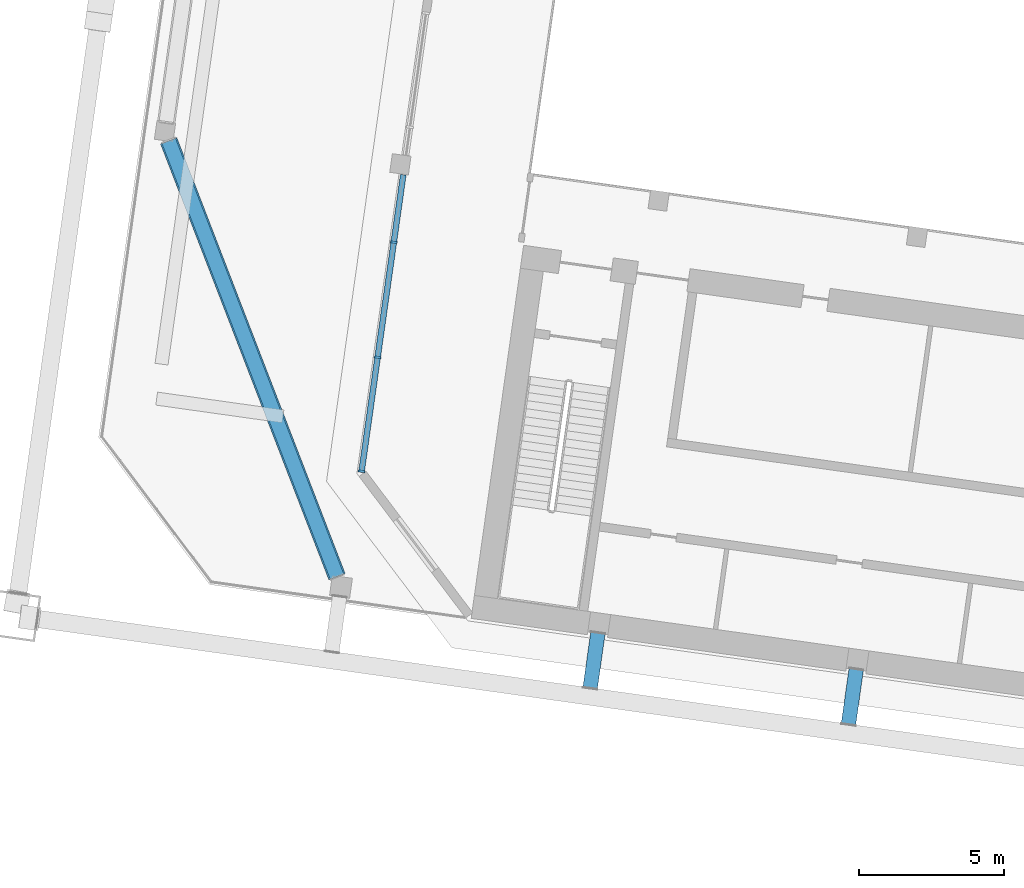
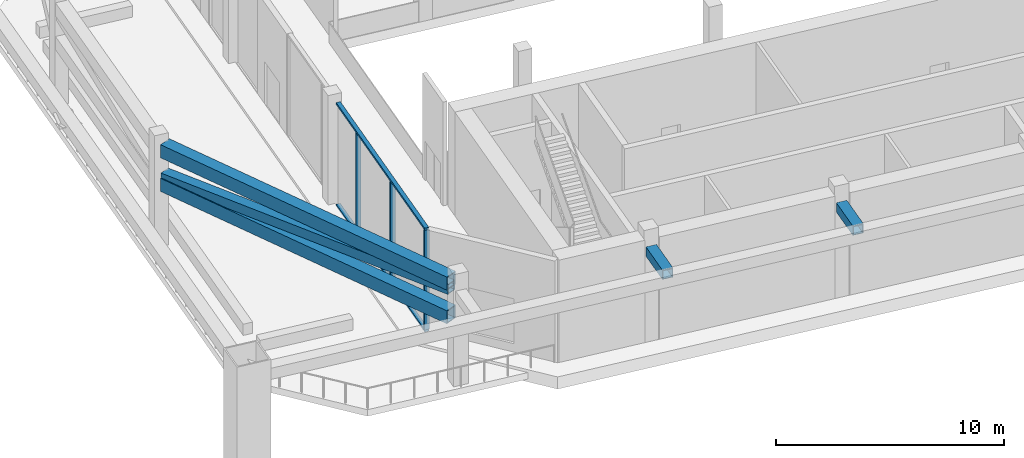
# One storey, part 2 of 41: 10 members, 1 element without a shape of its own.
"""IFC4 building model written with IfcOpenShell, lengths in metres."""

from ifc_helpers import new_model, si_unit, direction, frame, origin, origin_2d, place, context, subcontext, project, spatial, rectangle, hollow_rectangle, extrude, material, material_profile, profile_set, type_object, element, aggregate, save


model = new_model("IFC4")

# Units and contexts
model_context = context("Model", 3, precision=1e-05, world=origin(), true_north=direction((0.0, 1.0)))
body_context = subcontext(model_context, "Body", "Model", "MODEL_VIEW")
ifc_project = project(units=[si_unit("LENGTHUNIT", "METRE"), si_unit("AREAUNIT", "SQUARE_METRE"), si_unit("VOLUMEUNIT", "CUBIC_METRE"), si_unit("PLANEANGLEUNIT", "RADIAN"), si_unit("MASSUNIT", "GRAM", prefix="KILO")], contexts=[model_context])

# Site, building, storey
site_placement = place(None, origin())
site = spatial("IfcSite", under=ifc_project, at=site_placement, CompositionType="ELEMENT")
building_placement = place(site_placement, origin())
building = spatial("IfcBuilding", under=site, at=building_placement, Name="Mirante Cascada Hotel Towers", CompositionType="ELEMENT")
storey_placement = place(building_placement, frame((0.0, 0.0, 92.7)))
storey = spatial("IfcBuildingStorey", under=building, at=storey_placement, Name="L20", CompositionType="ELEMENT", Elevation=92.7)

# Members
ifc_material_1 = material(Name="Steel ASTM A572 Gr 50", Category="steel")
ifc_material_profile_1 = material_profile(ifc_material_1, hollow_rectangle(XDim=0.6, YDim=0.7, WallThickness=0.05, at=origin_2d()), Name="Box chord 700x600x50 ASTM A572 Gr 50")
ifc_profile_set_1 = profile_set([ifc_material_profile_1], Name="Steel ASTM A572 Gr 50")
member_type_1 = type_object("IfcMemberType", Name="Box chord 700x600x50 ASTM A572 Gr 50", PredefinedType="CHORD", material=ifc_profile_set_1)
for number, where, z_axis, x_axis, name in (
    (1, (-100.8987, 3.892, 5.2), (0.3601987, -0.9328756, 0.0), (0.9328756, 0.3601987, 0.0), "belt T1 L20 31"),
    (2, (-100.8987, 3.892, 3.4), (0.3601987, -0.9328756, 0.0), (0.9328756, 0.3601987, 0.0), "belt T1 L20 32"),
):
    element("IfcMember", number, at=place(storey_placement, frame(where, z_axis=z_axis, x_axis=x_axis)), inside=storey, type_object=member_type_1, Name=name, PredefinedType="CHORD", context=body_context, shape_type="SweptSolid", body=[
        extrude(hollow_rectangle(XDim=0.6, YDim=0.7, WallThickness=0.05, at=origin_2d()), origin(), (0.0, 0.0, 1.0), 16.1217),
    ])
ifc_material_2 = material(Name="Steel ASTM A572 Gr 50", Category="steel")
ifc_material_profile_2 = material_profile(ifc_material_2, hollow_rectangle(XDim=0.5, YDim=0.5, WallThickness=0.035, at=origin_2d()), Name="Box diagonal 500x500x35 ASTM A572 Gr 50")
ifc_profile_set_2 = profile_set([ifc_material_profile_2], Name="Steel ASTM A572 Gr 50")
member_type_2 = type_object("IfcMemberType", Name="Box diagonal 500x500x35 ASTM A572 Gr 50", PredefinedType="BRACE", material=ifc_profile_set_2)
member_1_placement = place(storey_placement, frame((-100.8987, 3.892, 3.75), z_axis=(0.3593632, -0.9307117, 0.0680729), x_axis=(0.9328756, 0.3601987, 0.0)))
element("IfcMember", 3, at=member_1_placement, inside=storey, type_object=member_type_2, Name="belt T1 L20 33", PredefinedType="BRACE", context=body_context, shape_type="SweptSolid", body=[
    extrude(hollow_rectangle(XDim=0.5, YDim=0.5, WallThickness=0.035, at=origin_2d()), origin(), (0.0, 0.0, 1.0), 16.1591),
])
ifc_material_3 = material(Name="Steel ASTM A572 Gr 50", Category="steel")
ifc_material_profile_3 = material_profile(ifc_material_3, hollow_rectangle(XDim=0.5, YDim=0.5, WallThickness=0.035, at=origin_2d()), Name="Box tie 500x500x35 ASTM A572 Gr 50")
ifc_profile_set_3 = profile_set([ifc_material_profile_3], Name="Steel ASTM A572 Gr 50")
member_type_3 = type_object("IfcMemberType", Name="Box tie 500x500x35 ASTM A572 Gr 50", PredefinedType="STRUT", material=ifc_profile_set_3)
member_2_placement = place(storey_placement, frame((-77.1757, -14.3344, 4.85), z_axis=(-0.1391695, -0.9902686, 0.0), x_axis=(0.9902686, -0.1391695, 0.0)))
element("IfcMember", 4, at=member_2_placement, inside=storey, type_object=member_type_3, Name="tie T1 L20 10", PredefinedType="STRUT", context=body_context, shape_type="SweptSolid", body=[
    extrude(hollow_rectangle(XDim=0.5, YDim=0.5, WallThickness=0.035, at=origin_2d()), origin(), (0.0, 0.0, 1.0), 1.9401),
])
member_3_placement = place(storey_placement, frame((-86.0881, -13.0819, 4.85), z_axis=(-0.1391766, -0.9902676, 0.0), x_axis=(0.9902676, -0.1391766, 0.0)))
element("IfcMember", 5, at=member_3_placement, inside=storey, type_object=member_type_3, Name="tie T1 L20 12", PredefinedType="STRUT", context=body_context, shape_type="SweptSolid", body=[
    extrude(hollow_rectangle(XDim=0.5, YDim=0.5, WallThickness=0.035, at=origin_2d()), origin(), (0.0, 0.0, 1.0), 1.94),
])

# Curtain wall, members
ifc_material_4 = material(Name="Aluminium mullion and transom frame with clear laminated glass", Category="aluminium")
curtain_wall_type = type_object("IfcCurtainWallType", Name="Sky garden curtain wall ECW4", PredefinedType="NOTDEFINED", material=ifc_material_4)
curtain_wall_placement = place(storey_placement, origin())
curtain_wall = element("IfcCurtainWall", 6, at=curtain_wall_placement, inside=storey, type_object=curtain_wall_type, Name="Sky garden wall T1 L20 run 1", PredefinedType="NOTDEFINED")
ifc_material_5 = material(Name="Anodised aluminium extrusion", Category="aluminium")
ifc_material_profile_4 = material_profile(ifc_material_5, rectangle(XDim=0.24, YDim=0.075, at=origin_2d()), Name="ECW4 MULLION 75x240")
ifc_profile_set_4 = profile_set([ifc_material_profile_4], Name="Anodised aluminium extrusion")
member_type_4 = type_object("IfcMemberType", Name="ECW4 mullion 75x240", PredefinedType="MULLION", material=ifc_profile_set_4)
member_4_placement = place(storey_placement, frame((-94.2425, -7.5132, 0.11), z_axis=(0.0, 0.0, 1.0), x_axis=(-0.9902681, 0.1391731, 0.0)))
member_4 = element("IfcMember", 7, at=member_4_placement, type_object=member_type_4, Name="ECW4 mullion 1", PredefinedType="MULLION", context=body_context, shape_type="SweptSolid", body=[
    extrude(rectangle(XDim=0.24, YDim=0.075, at=origin_2d()), origin(), (0.0, 0.0, 1.0), 5.33),
])
member_5_placement = place(storey_placement, frame((-93.6897, -3.5799, 0.11), z_axis=(0.0, 0.0, 1.0), x_axis=(-0.9902681, 0.1391731, 0.0)))
member_5 = element("IfcMember", 8, at=member_5_placement, type_object=member_type_4, Name="ECW4 mullion 2", PredefinedType="MULLION", context=body_context, shape_type="SweptSolid", body=[
    extrude(rectangle(XDim=0.24, YDim=0.075, at=origin_2d()), origin(), (0.0, 0.0, 1.0), 5.33),
])
member_6_placement = place(storey_placement, frame((-93.1317, 0.3906, 0.11), z_axis=(0.0, 0.0, 1.0), x_axis=(-0.9902681, 0.1391731, 0.0)))
member_6 = element("IfcMember", 9, at=member_6_placement, type_object=member_type_4, Name="ECW4 mullion 3", PredefinedType="MULLION", context=body_context, shape_type="SweptSolid", body=[
    extrude(rectangle(XDim=0.24, YDim=0.075, at=origin_2d()), origin(), (0.0, 0.0, 1.0), 5.33),
])
ifc_material_6 = material(Name="Anodised aluminium extrusion", Category="aluminium")
ifc_material_profile_5 = material_profile(ifc_material_6, rectangle(XDim=0.2, YDim=0.11, at=origin_2d()), Name="ECW4 TRANSOM 110x200")
ifc_profile_set_5 = profile_set([ifc_material_profile_5], Name="Anodised aluminium extrusion")
member_type_5 = type_object("IfcMemberType", Name="ECW4 transom 110x200", PredefinedType="USERDEFINED", material=ifc_profile_set_5)
member_7_placement = place(storey_placement, frame((-94.2477, -7.5503, 0.055), z_axis=(0.1391713, 0.9902683, 0.0), x_axis=(-0.9902683, 0.1391713, 0.0)))
member_7 = element("IfcMember", 10, at=member_7_placement, type_object=member_type_5, Name="ECW4 sill transom", ObjectType="TRANSOM", PredefinedType="USERDEFINED", context=body_context, shape_type="SweptSolid", body=[
    extrude(rectangle(XDim=0.2, YDim=0.11, at=origin_2d()), origin(), (0.0, 0.0, 1.0), 10.3678),
])
member_8_placement = place(storey_placement, frame((-94.2477, -7.5503, 5.495), z_axis=(0.1391713, 0.9902683, 0.0), x_axis=(-0.9902683, 0.1391713, 0.0)))
member_8 = element("IfcMember", 11, at=member_8_placement, type_object=member_type_5, Name="ECW4 head transom", ObjectType="TRANSOM", PredefinedType="USERDEFINED", context=body_context, shape_type="SweptSolid", body=[
    extrude(rectangle(XDim=0.2, YDim=0.11, at=origin_2d()), origin(), (0.0, 0.0, 1.0), 10.3678),
])
aggregate(curtain_wall, [member_7, member_8, member_4, member_5, member_6])

save(model, "model.ifc")
